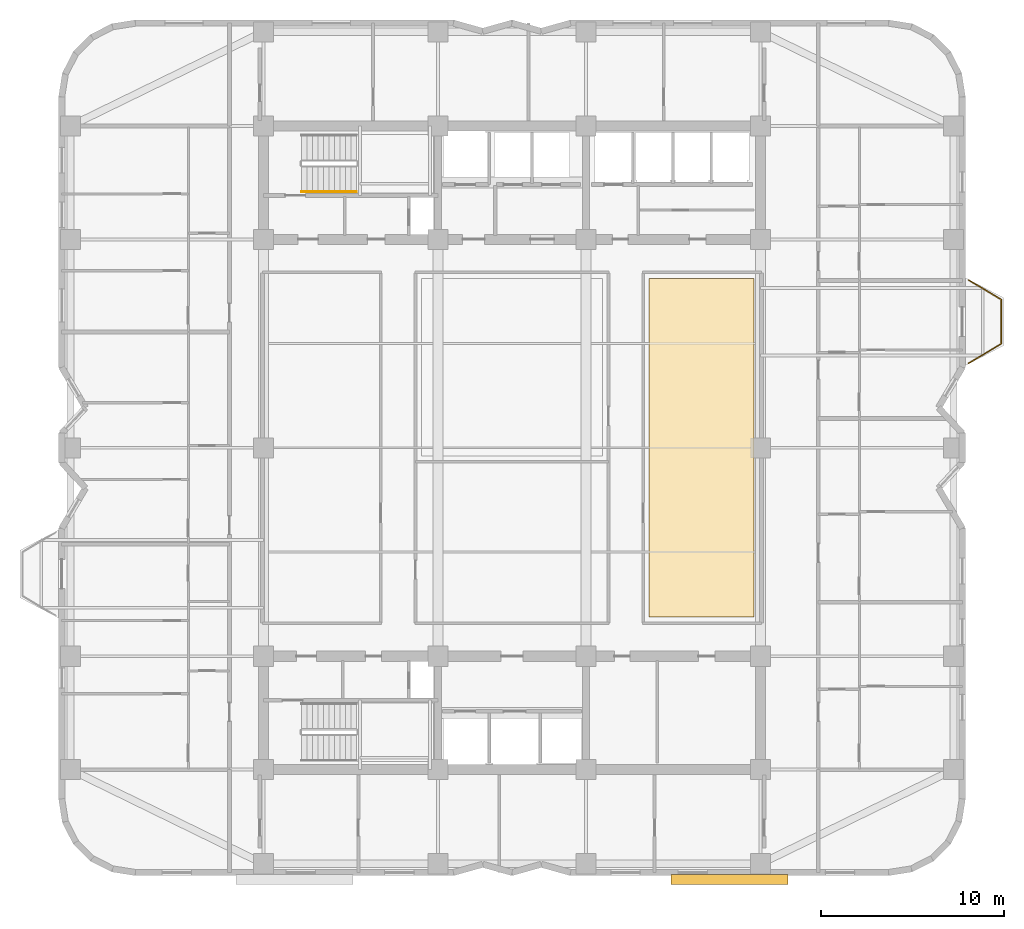
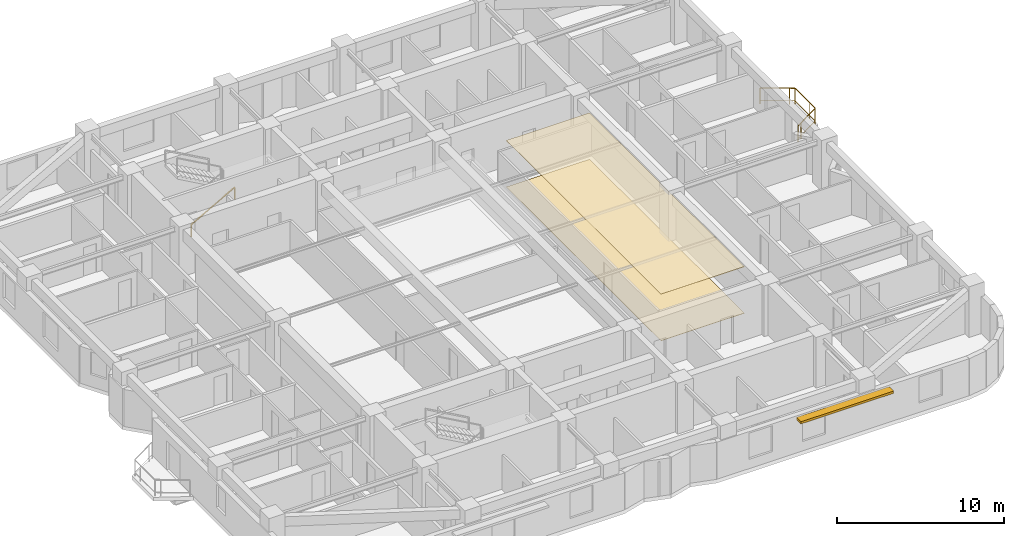
# One storey, part 10 of 11: 2 coverings, 2 railings, 1 shading device.
"""IFC4 building model written with IfcOpenShell, lengths in metres."""

from ifc_helpers import new_model, si_unit, direction, frame, origin, origin_2d, place, context, subcontext, project, spatial, polyline, rectangle, outline, extrude, material, layer, layer_set, type_object, element, save


model = new_model("IFC4")

# Units and contexts
model_context = context("Model", 3, precision=1e-05, world=origin(), true_north=direction((0.0, 1.0)))
body_context = subcontext(model_context, "Body", "Model", "MODEL_VIEW")
ifc_project = project(units=[si_unit("LENGTHUNIT", "METRE"), si_unit("AREAUNIT", "SQUARE_METRE"), si_unit("VOLUMEUNIT", "CUBIC_METRE"), si_unit("PLANEANGLEUNIT", "RADIAN"), si_unit("MASSUNIT", "GRAM", prefix="KILO")], contexts=[model_context])

# Site, building, storey
site_placement = place(None, origin())
site = spatial("IfcSite", under=ifc_project, at=site_placement, CompositionType="ELEMENT")
building_placement = place(site_placement, origin())
building = spatial("IfcBuilding", under=site, at=building_placement, Name="Svetorya Sky Lyceum", CompositionType="ELEMENT")
storey_placement = place(building_placement, frame((0.0, 0.0, 106.800048828125)))
storey = spatial("IfcBuildingStorey", under=building, at=storey_placement, Name="L26", CompositionType="ELEMENT", Elevation=106.800048828125)

# Coverings
ifc_material_1 = material(Name="Fire-retardant birch acoustic slat ceiling")
ifc_layer_1 = layer(ifc_material_1, 0.031982421875)
ifc_layer_set_1 = layer_set([ifc_layer_1], Name="Fire-retardant birch acoustic slat ceiling")
covering_type_1 = type_object("IfcCoveringType", Name="COV-CLG-WD32", PredefinedType="CEILING", material=ifc_layer_set_1)
covering_1_placement = place(storey_placement, frame((0.0, 0.0, 3.387939453125)))
element("IfcCovering", 1, at=covering_1_placement, inside=storey, type_object=covering_type_1, Name="Residents Tea Lounge L26 East Acoustic Ceiling", PredefinedType="CEILING", context=body_context, shape_type="SweptSolid", body=[
    extrude(outline(polyline([(46.699951171875, 18.949951171875), (52.449951171875, 18.949951171875), (52.449951171875, 37.449951171875), (46.699951171875, 37.449951171875), (46.699951171875, 18.949951171875)])), origin(), (0.0, 0.0, 1.0), 0.031982421875),
])
ifc_material_2 = material(Name="Vitrified porcelain slip-resistant tile flooring")
ifc_layer_2 = layer(ifc_material_2, 0.02587890625)
ifc_layer_set_2 = layer_set([ifc_layer_2], Name="Vitrified porcelain slip-resistant tile flooring")
covering_type_2 = type_object("IfcCoveringType", Name="COV-FLR-POR26", PredefinedType="FLOORING", material=ifc_layer_set_2)
covering_2_placement = place(storey_placement, origin())
element("IfcCovering", 2, at=covering_2_placement, inside=storey, type_object=covering_type_2, Name="Residents Tea Lounge L26 East Architectural Flooring", PredefinedType="FLOORING", context=body_context, shape_type="SweptSolid", body=[
    extrude(outline(polyline([(46.699951171875, 18.949951171875), (52.449951171875, 18.949951171875), (52.449951171875, 37.449951171875), (46.699951171875, 37.449951171875), (46.699951171875, 18.949951171875)])), origin(), (0.0, 0.0, 1.0), 0.02587890625),
])

# Railings
ifc_material_3 = material(Name="Laminated safety glass and stainless AISI 316", Category="glass")
railing_type_1 = type_object("IfcRailingType", Name="RL-BAL-1200", PredefinedType="BALUSTRADE", material=ifc_material_3)
railing_1_placement = place(storey_placement, frame((64.169921875, 37.3798828125, 0.0)))
element("IfcRailing", 3, at=railing_1_placement, inside=storey, type_object=railing_type_1, Name="L26 Balcony Balustrade BAL-E1", PredefinedType="BALUSTRADE", context=body_context, shape_type="SweptSolid", body=[
    extrude(rectangle(XDim=0.048095703125, YDim=0.048095703125, at=origin_2d()), frame((0.0, 0.0, 1.17578125), z_axis=(0.85753397263, -0.514427337711, 0.0), x_axis=(0.514427337711, 0.85753397263, 0.0)), (0.0, 0.0, 1.0), 2.09912109375),
    extrude(rectangle(XDim=0.02392578125, YDim=0.02392578125, at=origin_2d()), frame((0.0, 0.0, 0.25), z_axis=(0.85753397263, -0.514427337711, 0.0), x_axis=(0.514427337711, 0.85753397263, 0.0)), (0.0, 0.0, 1.0), 2.09912109375),
    extrude(rectangle(XDim=0.048095703125, YDim=0.048095703125, at=origin_2d()), frame((1.800048828125, -1.079833984375, 1.17578125), z_axis=(0.0, -1.0, 0.0), x_axis=(1.0, 0.0, 0.0)), (0.0, 0.0, 1.0), 2.400146484375),
    extrude(rectangle(XDim=0.02392578125, YDim=0.02392578125, at=origin_2d()), frame((1.800048828125, -1.079833984375, 0.25), z_axis=(0.0, -1.0, 0.0), x_axis=(1.0, 0.0, 0.0)), (0.0, 0.0, 1.0), 2.400146484375),
    extrude(rectangle(XDim=0.048095703125, YDim=0.048095703125, at=origin_2d()), frame((1.800048828125, -3.47998046875, 1.17578125), z_axis=(-0.85753397263, -0.514427337711, 0.0), x_axis=(0.514427337711, -0.85753397263, 0.0)), (0.0, 0.0, 1.0), 2.09912109375),
    extrude(rectangle(XDim=0.02392578125, YDim=0.02392578125, at=origin_2d()), frame((1.800048828125, -3.47998046875, 0.25), z_axis=(-0.85753397263, -0.514427337711, 0.0), x_axis=(0.514427337711, -0.85753397263, 0.0)), (0.0, 0.0, 1.0), 2.09912109375),
    extrude(rectangle(XDim=0.0419921875, YDim=0.0419921875, at=origin_2d()), origin(), (0.0, 0.0, 1.0), 1.15185546875),
    extrude(rectangle(XDim=0.0419921875, YDim=0.0419921875, at=origin_2d()), frame((1.500732421875, -0.900146484375, 0.0)), (0.0, 0.0, 1.0), 1.15185546875),
    extrude(rectangle(XDim=0.0419921875, YDim=0.0419921875, at=origin_2d()), frame((1.800048828125, -1.079833984375, 0.0)), (0.0, 0.0, 1.0), 1.15185546875),
    extrude(rectangle(XDim=0.0419921875, YDim=0.0419921875, at=origin_2d()), frame((1.800048828125, -2.829833984375, 0.0)), (0.0, 0.0, 1.0), 1.15185546875),
    extrude(rectangle(XDim=0.0419921875, YDim=0.0419921875, at=origin_2d()), frame((1.800048828125, -3.47998046875, 0.0)), (0.0, 0.0, 1.0), 1.15185546875),
    extrude(rectangle(XDim=0.0419921875, YDim=0.0419921875, at=origin_2d()), frame((0.29931640625, -4.380126953125, 0.0)), (0.0, 0.0, 1.0), 1.15185546875),
    extrude(rectangle(XDim=0.0419921875, YDim=0.0419921875, at=origin_2d()), frame((0.0, -4.559814453125, 0.0)), (0.0, 0.0, 1.0), 1.15185546875),
])
ifc_material_4 = material(Name="Brushed stainless AISI 304 stair handrail")
railing_type_2 = type_object("IfcRailingType", Name="RL-STR-HAND-920", PredefinedType="HANDRAIL", material=ifc_material_4)
railing_2_placement = place(storey_placement, frame((27.699951171875, 42.199951171875, 0.168212890625)))
element("IfcRailing", 4, at=railing_2_placement, inside=storey, type_object=railing_type_2, Name="L26 ST-N stair handrail 1", PredefinedType="HANDRAIL", context=body_context, shape_type="SweptSolid", body=[
    extrude(rectangle(XDim=0.048095703125, YDim=0.048095703125, at=origin_2d()), frame((0.0, 0.0, 0.8759765625), z_axis=(0.872302573547, 0.0, 0.488966481656), x_axis=(0.0, 1.0, 0.0)), (0.0, 0.0, 1.0), 3.439208984375),
    extrude(rectangle(XDim=0.0419921875, YDim=0.0419921875, at=origin_2d()), origin(), (0.0, 0.0, 1.0), 0.851806640625),
    extrude(rectangle(XDim=0.0419921875, YDim=0.0419921875, at=origin_2d()), frame((3.0, 0.0, 1.681640625)), (0.0, 0.0, 1.0), 0.851806640625),
])

# Shading device
ifc_material_5 = material(Name="Champagne-anodized extruded aluminium sunshade", Category="aluminium")
ifc_layer_3 = layer(ifc_material_5, 0.159912109375)
ifc_layer_set_3 = layer_set([ifc_layer_3], Name="Champagne-anodized extruded aluminium sunshade")
shading_device_type = type_object("IfcShadingDeviceType", Name="SHD-LVR-540", PredefinedType="AWNING", material=ifc_layer_set_3)
shading_device_placement = place(storey_placement, frame((51.10009765625, 4.580078125, 2.39990234375), z_axis=(0.0, 0.0, 1.0), x_axis=(1.0, 0.0, 0.0)))
element("IfcShadingDevice", 5, at=shading_device_placement, inside=storey, type_object=shading_device_type, Name="L26 Solar Brise-Soleil SHD-1.11M", PredefinedType="AWNING", context=body_context, shape_type="SweptSolid", body=[
    extrude(rectangle(XDim=6.39990234375, YDim=0.5400390625, at=origin_2d()), origin(), (0.0, 0.0, 1.0), 0.159912109375),
])

save(model, "model.ifc")
